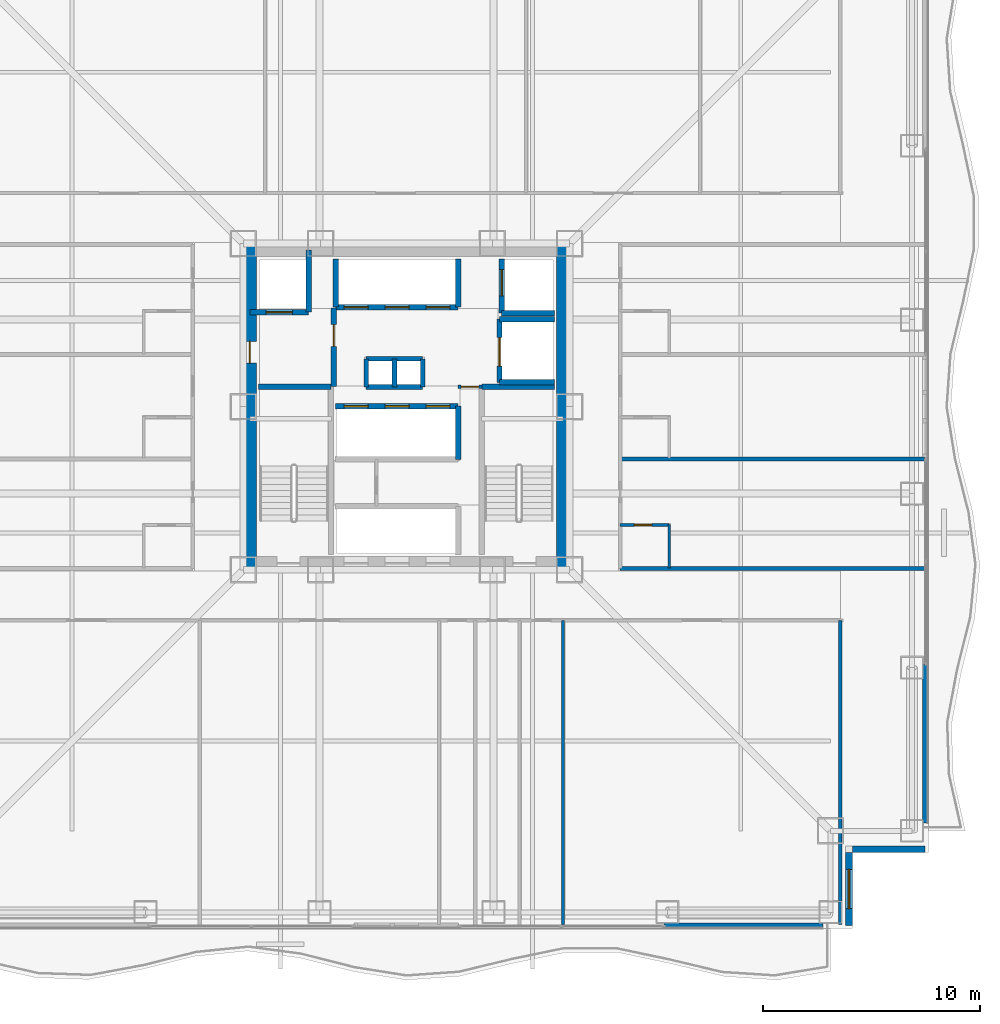
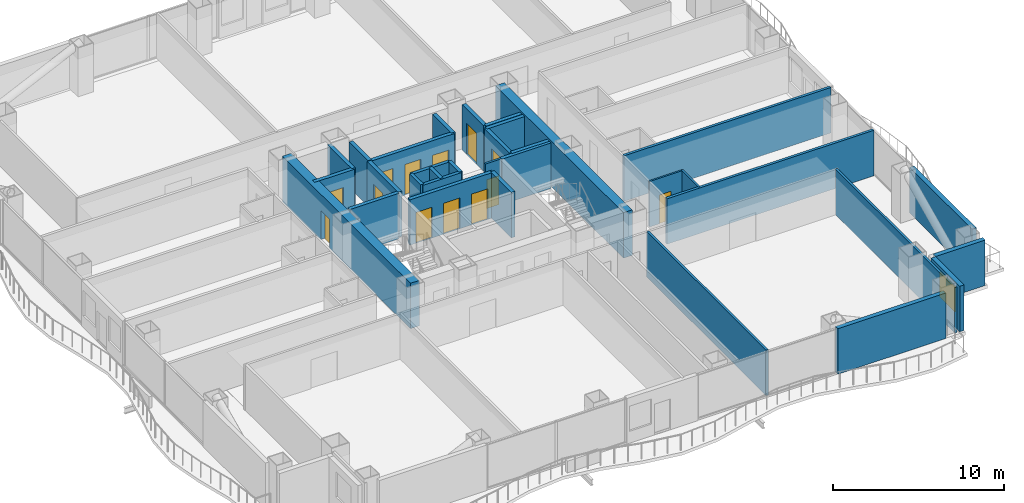
# One storey, part 15 of 24: 33 walls, 13 doors, 1 window, 14 openings.
"""IFC4 building model written with IfcOpenShell, lengths in metres."""

from ifc_helpers import new_model, si_unit, direction, frame, frame_2d, origin, place, context, subcontext, project, spatial, rectangle, extrude, material, layer, layer_set, type_object, element, fill, save


model = new_model("IFC4")

# Units and contexts
model_context = context("Model", 3, precision=1e-05, world=origin(), true_north=direction((0.0, 1.0)))
body_context = subcontext(model_context, "Body", "Model", "MODEL_VIEW")
ifc_project = project(units=[si_unit("LENGTHUNIT", "METRE"), si_unit("AREAUNIT", "SQUARE_METRE"), si_unit("VOLUMEUNIT", "CUBIC_METRE"), si_unit("PLANEANGLEUNIT", "RADIAN"), si_unit("MASSUNIT", "GRAM", prefix="KILO")], contexts=[model_context])

# Site, building, storey
site_placement = place(None, origin())
site = spatial("IfcSite", under=ifc_project, at=site_placement, CompositionType="ELEMENT")
building_placement = place(site_placement, origin())
building = spatial("IfcBuilding", under=site, at=building_placement, Name="Trevonay Congress Spire", CompositionType="ELEMENT")
storey_placement = place(building_placement, frame((0.0, 0.0, 55.0)))
storey = spatial("IfcBuildingStorey", under=building, at=storey_placement, Name="L13", CompositionType="ELEMENT", Elevation=55.0)

# Wall, opening, door
ifc_material_1 = material(Name="Concrete C40/50", Category="concrete")
ifc_layer_1 = layer(ifc_material_1, 0.1201171875, Name="Concrete C40/50")
ifc_layer_set_1 = layer_set([ifc_layer_1], Name="Concrete C40/50")
wall_type_1 = type_object("IfcWallType", Name="WAL-BATH-120", PredefinedType="PLUMBINGWALL", material=ifc_layer_set_1)
wall_1_placement = place(storey_placement, frame((9.830078125, -5.44189453125, 0.0), z_axis=(0.0, 0.0, 1.0), x_axis=(1.0, 0.0, 0.0)))
wall_1 = element("IfcWall", 1, at=wall_1_placement, inside=storey, type_object=wall_type_1, Name="L13 interior wall WH-L13E-BS1", PredefinedType="PLUMBINGWALL", context=body_context, shape_type="SweptSolid", body=[
    extrude(rectangle(XDim=2.25, YDim=0.1201171875, at=frame_2d((1.125, 0.0))), origin(), (0.0, 0.0, 1.0), 3.25),
])
opening_1_placement = place(wall_1_placement, frame((0.64990234375, 0.0, 0.0)))
opening_1 = element("IfcOpeningElement", 2, at=opening_1_placement, cuts=wall_1, Name="Opening D11", PredefinedType="OPENING", context=body_context, shape_type="SweptSolid", body=[
    extrude(rectangle(XDim=0.800048828125, YDim=2.050048828125, at=frame_2d((0.39990234375, 1.02490234375))), frame((0.0, 0.070068359375, 0.0), z_axis=(0.0, -1.0, 0.0), x_axis=(1.0, 0.0, 0.0)), (0.0, 0.0, 1.0), 0.14013671875),
])
ifc_material_2 = material(Name="Pale Anodised Aluminium EN AW-6063-T6", Category="aluminium")
door_type_1 = type_object("IfcDoorType", Name="DOR-BATH-80", OperationType="NOTDEFINED", PredefinedType="DOOR", material=ifc_material_2)
door_1_placement = place(opening_1_placement, origin())
door_1 = element("IfcDoor", 3, at=door_1_placement, inside=storey, type_object=door_type_1, Name="L13 En-suite Bathroom Door", OperationType="SINGLE_SWING_RIGHT", OverallHeight=2.050048828125, OverallWidth=0.800048828125, PredefinedType="DOOR", context=body_context, shape_type="SweptSolid", body=[
    extrude(rectangle(XDim=0.800048828125, YDim=2.050048828125, at=frame_2d((0.39990234375, 1.02490234375))), frame((0.0, 0.02490234375, 0.0), z_axis=(0.0, -1.0, 0.0), x_axis=(1.0, 0.0, 0.0)), (0.0, 0.0, 1.0), 0.050048828125),
])
fill(opening_1, door_1)

# Wall
wall_2_placement = place(storey_placement, frame((12.080078125, -7.419921875, 0.0), z_axis=(0.0, 0.0, 1.0), x_axis=(0.0, 1.0, 0.0)))
element("IfcWall", 4, at=wall_2_placement, inside=storey, type_object=wall_type_1, Name="L13 interior wall WH-L13E-BF1", PredefinedType="PLUMBINGWALL", context=body_context, shape_type="SweptSolid", body=[
    extrude(rectangle(XDim=2.0078125, YDim=0.1201171875, at=frame_2d((1.00390625, 0.0))), origin(), (0.0, 0.0, 1.0), 3.25),
])

# Wall, opening, door
ifc_material_3 = material(Name="Concrete C60/75", Category="concrete")
ifc_layer_2 = layer(ifc_material_3, 0.60009765625, Name="Concrete C60/75")
ifc_layer_set_2 = layer_set([ifc_layer_2], Name="Concrete C60/75")
wall_type_2 = type_object("IfcWallType", Name="WAL-CORE-600", PredefinedType="SHEAR", material=ifc_layer_set_2)
wall_3_placement = place(storey_placement, frame((-7.199951171875, -7.5, 0.0), z_axis=(0.0, 0.0, 1.0), x_axis=(0.0, 1.0, 0.0)))
wall_3 = element("IfcWall", 5, at=wall_3_placement, inside=storey, type_object=wall_type_2, Name="L13 West structural core shear wall", PredefinedType="SHEAR", context=body_context, shape_type="SweptSolid", body=[
    extrude(rectangle(XDim=15.0, YDim=0.60009765625, at=frame_2d((7.5, 0.0))), origin(), (0.0, 0.0, 1.0), 3.25),
])
opening_2_placement = place(wall_3_placement, frame((9.5, 0.0, 0.0)))
opening_2 = element("IfcOpeningElement", 6, at=opening_2_placement, cuts=wall_3, Name="Opening D06", PredefinedType="OPENING", context=body_context, shape_type="SweptSolid", body=[
    extrude(rectangle(XDim=1.0, YDim=2.080078125, at=frame_2d((0.5, 1.0400390625))), frame((0.0, 0.31005859375, 0.0), z_axis=(0.0, -1.0, 0.0), x_axis=(1.0, 0.0, 0.0)), (0.0, 0.0, 1.0), 0.6201171875),
])
ifc_material_4 = material(Name="Steel ASTM A572 Grade 50", Category="steel")
door_type_2 = type_object("IfcDoorType", Name="DOR-FIRE-100", OperationType="NOTDEFINED", PredefinedType="DOOR", material=ifc_material_4)
door_2_placement = place(opening_2_placement, origin())
door_2 = element("IfcDoor", 7, at=door_2_placement, inside=storey, type_object=door_type_2, Name="L13 Firefighting Lift Lobby West Corridor Door", OperationType="SINGLE_SWING_RIGHT", OverallHeight=2.080078125, OverallWidth=1.0, PredefinedType="DOOR", context=body_context, shape_type="SweptSolid", body=[
    extrude(rectangle(XDim=1.0, YDim=2.080078125, at=frame_2d((0.5, 1.0400390625))), frame((0.0, 0.02490234375, 0.0), z_axis=(0.0, -1.0, 0.0), x_axis=(1.0, 0.0, 0.0)), (0.0, 0.0, 1.0), 0.050048828125),
])
fill(opening_2, door_2)

# Walls
wall_4_placement = place(storey_placement, frame((7.199951171875, -7.5, 0.0), z_axis=(0.0, 0.0, 1.0), x_axis=(0.0, 1.0, 0.0)))
element("IfcWall", 8, at=wall_4_placement, inside=storey, type_object=wall_type_2, Name="L13 East structural core shear wall", PredefinedType="SHEAR", context=body_context, shape_type="SweptSolid", body=[
    extrude(rectangle(XDim=15.0, YDim=0.60009765625, at=frame_2d((7.5, 0.0))), origin(), (0.0, 0.0, 1.0), 3.25),
])
ifc_material_5 = material(Name="Precast concrete C40/50", Category="concrete")
ifc_layer_3 = layer(ifc_material_5, 0.300048828125, Name="Precast concrete C40/50")
ifc_layer_set_3 = layer_set([ifc_layer_3], Name="Precast concrete C40/50")
wall_type_3 = type_object("IfcWallType", Name="WAL-EXT-PRECAST-300", PredefinedType="SOLIDWALL", material=ifc_layer_set_3)
for number, where, z_axis, x_axis, name in (
    (9, (11.85009765625, -23.8798828125, 0.0), (0.0, 0.0, 1.0), (1.0, 0.0, 0.0), "L13 SR braced-bay exterior pier wall"),
    (10, (23.8798828125, -19.14990234375, 0.0), (0.0, 0.0, 1.0), (0.0, 1.0, 0.0), "L13 EL braced-bay exterior pier wall"),
):
    element("IfcWall", number, at=place(storey_placement, frame(where, z_axis=z_axis, x_axis=x_axis)), inside=storey, type_object=wall_type_3, Name=name, PredefinedType="SOLIDWALL", context=body_context, shape_type="SweptSolid", body=[
        extrude(rectangle(XDim=7.2998046875, YDim=0.300048828125, at=frame_2d((3.64990234375, 0.0))), origin(), (0.0, 0.0, 1.0), 3.25),
    ])

# Wall, opening, window
wall_5_placement = place(storey_placement, frame((20.35009765625, -23.85009765625, 0.0), z_axis=(0.0, 0.0, 1.0), x_axis=(0.0, 1.0, 0.0)))
wall_5 = element("IfcWall", 11, at=wall_5_placement, inside=storey, type_object=wall_type_3, Name="L13 SE re-entrant notch exterior wall 1", PredefinedType="SOLIDWALL", context=body_context, shape_type="SweptSolid", body=[
    extrude(rectangle(XDim=3.35009765625, YDim=0.300048828125, at=frame_2d((1.675048828125, 0.0))), origin(), (0.0, 0.0, 1.0), 3.25),
])
opening_3_placement = place(wall_5_placement, frame((0.77490234375, 0.0, 0.89990234375)))
opening_3 = element("IfcOpeningElement", 12, at=opening_3_placement, cuts=wall_5, Name="Opening WN01", PredefinedType="OPENING", context=body_context, shape_type="SweptSolid", body=[
    extrude(rectangle(XDim=1.800048828125, YDim=1.800048828125, at=frame_2d((0.89990234375, 0.89990234375))), frame((0.0, 0.16015625, 0.0), z_axis=(0.0, -1.0, 0.0), x_axis=(1.0, 0.0, 0.0)), (0.0, 0.0, 1.0), 0.320068359375),
])
ifc_material_6 = material(Name="Insulated Low-E Vision Glass IGU", Category="glass")
window_type = type_object("IfcWindowType", Name="WIN-HOTEL-180X180", PartitioningType="SINGLE_PANEL", PredefinedType="WINDOW", material=ifc_material_6)
window_placement = place(opening_3_placement, origin())
window = element("IfcWindow", 13, at=window_placement, inside=storey, type_object=window_type, Name="L13 SE corner notch window", OverallHeight=1.800048828125, OverallWidth=1.800048828125, PartitioningType="SINGLE_PANEL", PredefinedType="WINDOW", context=body_context, shape_type="SweptSolid", body=[
    extrude(rectangle(XDim=1.800048828125, YDim=1.800048828125, at=frame_2d((0.89990234375, 0.89990234375))), frame((0.0, 0.030029296875, 0.0), z_axis=(0.0, -1.0, 0.0), x_axis=(1.0, 0.0, 0.0)), (0.0, 0.0, 1.0), 0.06005859375),
])
fill(opening_3, window)

# Walls
wall_6_placement = place(storey_placement, frame((23.85009765625, -20.35009765625, 0.0), z_axis=(0.0, 0.0, 1.0), x_axis=(-1.0, 0.0, 0.0)))
element("IfcWall", 14, at=wall_6_placement, inside=storey, type_object=wall_type_3, Name="L13 SE re-entrant notch exterior wall 2", PredefinedType="SOLIDWALL", context=body_context, shape_type="SweptSolid", body=[
    extrude(rectangle(XDim=3.35009765625, YDim=0.300048828125, at=frame_2d((1.675048828125, 0.0))), origin(), (0.0, 0.0, 1.0), 3.25),
])
ifc_layer_4 = layer(ifc_material_1, 0.179931640625, Name="Concrete C40/50")
ifc_layer_set_4 = layer_set([ifc_layer_4], Name="Concrete C40/50")
wall_type_4 = type_object("IfcWallType", Name="WAL-HOTEL-180", PredefinedType="PARTITIONING", material=ifc_layer_set_4)
for number, where, z_axis, x_axis, name in (
    (15, (9.830078125, -7.449951171875, 0.0), (0.0, 0.0, 1.0), (1.0, 0.0, 0.0), "L13 interior wall WH-L13E-DIV1"),
    (16, (9.830078125, -2.39990234375, 0.0), (0.0, 0.0, 1.0), (1.0, 0.0, 0.0), "L13 interior wall WH-L13E-DIV2"),
):
    element("IfcWall", number, at=place(storey_placement, frame(where, z_axis=z_axis, x_axis=x_axis)), inside=storey, type_object=wall_type_4, Name=name, PredefinedType="PARTITIONING", context=body_context, shape_type="SweptSolid", body=[
        extrude(rectangle(XDim=13.989990234375, YDim=0.179931640625, at=frame_2d((6.9951171875, 0.0))), origin(), (0.0, 0.0, 1.0), 3.25),
    ])

# Wall, opening, door
ifc_layer_5 = layer(ifc_material_1, 0.14990234375, Name="Concrete C40/50")
ifc_layer_set_5 = layer_set([ifc_layer_5], Name="Concrete C40/50")
wall_type_5 = type_object("IfcWallType", Name="WAL-PART-150", PredefinedType="PARTITIONING", material=ifc_layer_set_5)
wall_7_placement = place(storey_placement, frame((2.3798828125, 0.919921875, 0.0), z_axis=(0.0, 0.0, 1.0), x_axis=(1.0, 0.0, 0.0)))
wall_7 = element("IfcWall", 17, at=wall_7_placement, inside=storey, type_object=wall_type_5, Name="L13 interior wall CW-CSRV-N-L13", PredefinedType="PARTITIONING", context=body_context, shape_type="SweptSolid", body=[
    extrude(rectangle(XDim=1.090087890625, YDim=0.14990234375, at=frame_2d((0.544921875, 0.0))), origin(), (0.0, 0.0, 1.0), 3.25),
])
opening_4_placement = place(wall_7_placement, frame((0.135009765625, 0.0, 0.0)))
opening_4 = element("IfcOpeningElement", 18, at=opening_4_placement, cuts=wall_7, Name="Opening D13", PredefinedType="OPENING", context=body_context, shape_type="SweptSolid", body=[
    extrude(rectangle(XDim=0.820068359375, YDim=2.050048828125, at=frame_2d((0.41015625, 1.02490234375))), frame((0.0, 0.0849609375, 0.0), z_axis=(0.0, -1.0, 0.0), x_axis=(1.0, 0.0, 0.0)), (0.0, 0.0, 1.0), 0.169921875),
])
door_type_3 = type_object("IfcDoorType", Name="DOR-UTIL-80", OperationType="NOTDEFINED", PredefinedType="DOOR", material=ifc_material_4)
door_3_placement = place(opening_4_placement, origin())
door_3 = element("IfcDoor", 19, at=door_3_placement, inside=storey, type_object=door_type_3, Name="L13 Core Service Pocket Door", OperationType="SINGLE_SWING_RIGHT", OverallHeight=2.050048828125, OverallWidth=0.820068359375, PredefinedType="DOOR", context=body_context, shape_type="SweptSolid", body=[
    extrude(rectangle(XDim=0.820068359375, YDim=2.050048828125, at=frame_2d((0.41015625, 1.02490234375))), frame((0.0, 0.02490234375, 0.0), z_axis=(0.0, -1.0, 0.0), x_axis=(1.0, 0.0, 0.0)), (0.0, 0.0, 1.0), 0.050048828125),
])
fill(opening_4, door_3)

# Walls
for number, where, z_axis, x_axis, name in (
    (20, (7.199951171875, -23.820068359375, 0.0), (0.0, 0.0, 1.0), (0.0, 1.0, 0.0), "L13 interior wall WP-L13S-DIV5"),
    (21, (19.949951171875, -23.820068359375, 0.0), (0.0, 0.0, 1.0), (0.0, 1.0, 0.0), "L13 interior wall WP-L13S-DIV6"),
):
    element("IfcWall", number, at=place(storey_placement, frame(where, z_axis=z_axis, x_axis=x_axis)), inside=storey, type_object=wall_type_5, Name=name, PredefinedType="PARTITIONING", context=body_context, shape_type="SweptSolid", body=[
        extrude(rectangle(XDim=13.989990234375, YDim=0.14990234375, at=frame_2d((6.9951171875, 0.0))), origin(), (0.0, 0.0, 1.0), 3.25),
    ])
ifc_layer_6 = layer(ifc_material_1, 0.219970703125, Name="Concrete C40/50")
ifc_layer_set_6 = layer_set([ifc_layer_6], Name="Concrete C40/50")
wall_type_6 = type_object("IfcWallType", Name="WAL-SHAFT-220", PredefinedType="PARTITIONING", material=ifc_layer_set_6)
for number, where, z_axis, x_axis, name in (
    (22, (-1.85009765625, 2.199951171875, 0.0), (0.0, 0.0, 1.0), (1.0, 0.0, 0.0), "L13 interior shaft wall WSH-L13-RSR-N"),
    (23, (-1.85009765625, 0.89990234375, 0.0), (0.0, 0.0, 1.0), (1.0, 0.0, 0.0), "L13 interior shaft wall WSH-L13-RSR-S"),
):
    element("IfcWall", number, at=place(storey_placement, frame(where, z_axis=z_axis, x_axis=x_axis)), inside=storey, type_object=wall_type_6, Name=name, PredefinedType="PARTITIONING", context=body_context, shape_type="SweptSolid", body=[
        extrude(rectangle(XDim=2.60009765625, YDim=0.219970703125, at=frame_2d((1.300048828125, 0.0))), origin(), (0.0, 0.0, 1.0), 3.25),
    ])
for number, where, z_axis, x_axis, name in (
    (24, (-0.550048828125, 0.89990234375, 0.0), (0.0, 0.0, 1.0), (0.0, 1.0, 0.0), "L13 interior shaft wall WSH-L13-RSR-M"),
    (25, (0.75, 0.89990234375, 0.0), (0.0, 0.0, 1.0), (0.0, 1.0, 0.0), "L13 interior shaft wall WSH-L13-RSR-E"),
    (26, (-1.85009765625, 0.89990234375, 0.0), (0.0, 0.0, 1.0), (0.0, 1.0, 0.0), "L13 interior shaft wall WSH-L13-RSR-W"),
):
    element("IfcWall", number, at=place(storey_placement, frame(where, z_axis=z_axis, x_axis=x_axis)), inside=storey, type_object=wall_type_6, Name=name, PredefinedType="PARTITIONING", context=body_context, shape_type="SweptSolid", body=[
        extrude(rectangle(XDim=1.300048828125, YDim=0.219970703125, at=frame_2d((0.64990234375, 0.0))), origin(), (0.0, 0.0, 1.0), 3.25),
    ])

# Wall, openings, doors
ifc_layer_7 = layer(ifc_material_1, 0.25, Name="Concrete C40/50")
ifc_layer_set_7 = layer_set([ifc_layer_7], Name="Concrete C40/50")
wall_type_7 = type_object("IfcWallType", Name="WAL-SHAFT-250", PredefinedType="SHEAR", material=ifc_layer_set_7)
wall_8_placement = place(storey_placement, frame((-3.260009765625, 0.02001953125, 0.0), z_axis=(0.0, 0.0, 1.0), x_axis=(1.0, 0.0, 0.0)))
wall_8 = element("IfcWall", 27, at=wall_8_placement, inside=storey, type_object=wall_type_7, Name="L13 interior shaft wall WSH-L13-B2-N", PredefinedType="SHEAR", context=body_context, shape_type="SweptSolid", body=[
    extrude(rectangle(XDim=5.639892578125, YDim=0.25, at=frame_2d((2.81982421875, 0.0))), origin(), (0.0, 0.0, 1.0), 3.25),
])
opening_5_placement = place(wall_8_placement, frame((0.39990234375, 0.0, 0.0)))
opening_5 = element("IfcOpeningElement", 28, at=opening_5_placement, cuts=wall_8, Name="Opening LD02", PredefinedType="OPENING", context=body_context, shape_type="SweptSolid", body=[
    extrude(rectangle(XDim=1.10009765625, YDim=2.199951171875, at=frame_2d((0.550048828125, 1.10009765625))), frame((0.0, 0.135009765625, 0.0), z_axis=(0.0, -1.0, 0.0), x_axis=(1.0, 0.0, 0.0)), (0.0, 0.0, 1.0), 0.27001953125),
])
opening_6_placement = place(wall_8_placement, frame((2.280029296875, 0.0, 0.0)))
opening_6 = element("IfcOpeningElement", 29, at=opening_6_placement, cuts=wall_8, Name="Opening LD02", PredefinedType="OPENING", context=body_context, shape_type="SweptSolid", body=[
    extrude(rectangle(XDim=1.10009765625, YDim=2.199951171875, at=frame_2d((0.550048828125, 1.10009765625))), frame((0.0, 0.135009765625, 0.0), z_axis=(0.0, -1.0, 0.0), x_axis=(1.0, 0.0, 0.0)), (0.0, 0.0, 1.0), 0.27001953125),
])
opening_7_placement = place(wall_8_placement, frame((4.159912109375, 0.0, 0.0)))
opening_7 = element("IfcOpeningElement", 30, at=opening_7_placement, cuts=wall_8, Name="Opening LD02", PredefinedType="OPENING", context=body_context, shape_type="SweptSolid", body=[
    extrude(rectangle(XDim=1.10009765625, YDim=2.199951171875, at=frame_2d((0.550048828125, 1.10009765625))), frame((0.0, 0.135009765625, 0.0), z_axis=(0.0, -1.0, 0.0), x_axis=(1.0, 0.0, 0.0)), (0.0, 0.0, 1.0), 0.27001953125),
])
door_type_4 = type_object("IfcDoorType", Name="DOR-LIFT-LD02", OperationType="DOUBLE_DOOR_SLIDING", PredefinedType="DOOR", material=ifc_material_2)
door_4_placement = place(opening_5_placement, origin())
door_4 = element("IfcDoor", 31, at=door_4_placement, inside=storey, type_object=door_type_4, Name="L13 Passenger lift PL-04 landing door", OperationType="DOUBLE_DOOR_SLIDING", OverallHeight=2.199951171875, OverallWidth=1.10009765625, PredefinedType="DOOR", context=body_context, shape_type="SweptSolid", body=[
    extrude(rectangle(XDim=1.10009765625, YDim=2.199951171875, at=frame_2d((0.550048828125, 1.10009765625))), frame((0.0, 0.02490234375, 0.0), z_axis=(0.0, -1.0, 0.0), x_axis=(1.0, 0.0, 0.0)), (0.0, 0.0, 1.0), 0.050048828125),
])
fill(opening_5, door_4)
door_5_placement = place(opening_6_placement, origin())
door_5 = element("IfcDoor", 32, at=door_5_placement, inside=storey, type_object=door_type_4, Name="L13 Passenger lift PL-05 landing door", OperationType="DOUBLE_DOOR_SLIDING", OverallHeight=2.199951171875, OverallWidth=1.10009765625, PredefinedType="DOOR", context=body_context, shape_type="SweptSolid", body=[
    extrude(rectangle(XDim=1.10009765625, YDim=2.199951171875, at=frame_2d((0.550048828125, 1.10009765625))), frame((0.0, 0.02490234375, 0.0), z_axis=(0.0, -1.0, 0.0), x_axis=(1.0, 0.0, 0.0)), (0.0, 0.0, 1.0), 0.050048828125),
])
fill(opening_6, door_5)
door_6_placement = place(opening_7_placement, origin())
door_6 = element("IfcDoor", 33, at=door_6_placement, inside=storey, type_object=door_type_4, Name="L13 Passenger lift PL-06 landing door", OperationType="DOUBLE_DOOR_SLIDING", OverallHeight=2.199951171875, OverallWidth=1.10009765625, PredefinedType="DOOR", context=body_context, shape_type="SweptSolid", body=[
    extrude(rectangle(XDim=1.10009765625, YDim=2.199951171875, at=frame_2d((0.550048828125, 1.10009765625))), frame((0.0, 0.02490234375, 0.0), z_axis=(0.0, -1.0, 0.0), x_axis=(1.0, 0.0, 0.0)), (0.0, 0.0, 1.0), 0.050048828125),
])
fill(opening_7, door_6)

# Wall
wall_9_placement = place(storey_placement, frame((2.3798828125, -2.419921875, 0.0), z_axis=(0.0, 0.0, 1.0), x_axis=(0.0, 1.0, 0.0)))
element("IfcWall", 34, at=wall_9_placement, inside=storey, type_object=wall_type_7, Name="L13 interior shaft wall WSH-L13-B2-E", PredefinedType="SHEAR", context=body_context, shape_type="SweptSolid", body=[
    extrude(rectangle(XDim=2.43994140625, YDim=0.25, at=frame_2d((1.219970703125, 0.0))), origin(), (0.0, 0.0, 1.0), 3.25),
])

# Wall, openings, doors
wall_10_placement = place(storey_placement, frame((-3.260009765625, 4.580078125, 0.0), z_axis=(0.0, 0.0, 1.0), x_axis=(1.0, 0.0, 0.0)))
wall_10 = element("IfcWall", 35, at=wall_10_placement, inside=storey, type_object=wall_type_7, Name="L13 interior shaft wall WSH-L13-B3-S", PredefinedType="SHEAR", context=body_context, shape_type="SweptSolid", body=[
    extrude(rectangle(XDim=5.639892578125, YDim=0.25, at=frame_2d((2.81982421875, 0.0))), origin(), (0.0, 0.0, 1.0), 3.25),
])
opening_8_placement = place(wall_10_placement, frame((0.39990234375, 0.0, 0.0)))
opening_8 = element("IfcOpeningElement", 36, at=opening_8_placement, cuts=wall_10, Name="Opening LD03", PredefinedType="OPENING", context=body_context, shape_type="SweptSolid", body=[
    extrude(rectangle(XDim=1.10009765625, YDim=2.199951171875, at=frame_2d((0.550048828125, 1.10009765625))), frame((0.0, 0.135009765625, 0.0), z_axis=(0.0, -1.0, 0.0), x_axis=(1.0, 0.0, 0.0)), (0.0, 0.0, 1.0), 0.27001953125),
])
opening_9_placement = place(wall_10_placement, frame((2.280029296875, 0.0, 0.0)))
opening_9 = element("IfcOpeningElement", 37, at=opening_9_placement, cuts=wall_10, Name="Opening LD03", PredefinedType="OPENING", context=body_context, shape_type="SweptSolid", body=[
    extrude(rectangle(XDim=1.10009765625, YDim=2.199951171875, at=frame_2d((0.550048828125, 1.10009765625))), frame((0.0, 0.135009765625, 0.0), z_axis=(0.0, -1.0, 0.0), x_axis=(1.0, 0.0, 0.0)), (0.0, 0.0, 1.0), 0.27001953125),
])
opening_10_placement = place(wall_10_placement, frame((4.159912109375, 0.0, 0.0)))
opening_10 = element("IfcOpeningElement", 38, at=opening_10_placement, cuts=wall_10, Name="Opening LD03", PredefinedType="OPENING", context=body_context, shape_type="SweptSolid", body=[
    extrude(rectangle(XDim=1.10009765625, YDim=2.199951171875, at=frame_2d((0.550048828125, 1.10009765625))), frame((0.0, 0.135009765625, 0.0), z_axis=(0.0, -1.0, 0.0), x_axis=(1.0, 0.0, 0.0)), (0.0, 0.0, 1.0), 0.27001953125),
])
door_type_5 = type_object("IfcDoorType", Name="DOR-LIFT-LD03", OperationType="DOUBLE_DOOR_SLIDING", PredefinedType="DOOR", material=ifc_material_2)
door_7_placement = place(opening_8_placement, origin())
door_7 = element("IfcDoor", 39, at=door_7_placement, inside=storey, type_object=door_type_5, Name="L13 Passenger lift PL-07 landing door", OperationType="DOUBLE_DOOR_SLIDING", OverallHeight=2.199951171875, OverallWidth=1.10009765625, PredefinedType="DOOR", context=body_context, shape_type="SweptSolid", body=[
    extrude(rectangle(XDim=1.10009765625, YDim=2.199951171875, at=frame_2d((0.550048828125, 1.10009765625))), frame((0.0, 0.02490234375, 0.0), z_axis=(0.0, -1.0, 0.0), x_axis=(1.0, 0.0, 0.0)), (0.0, 0.0, 1.0), 0.050048828125),
])
fill(opening_8, door_7)
door_8_placement = place(opening_9_placement, origin())
door_8 = element("IfcDoor", 40, at=door_8_placement, inside=storey, type_object=door_type_5, Name="L13 Passenger lift PL-08 landing door", OperationType="DOUBLE_DOOR_SLIDING", OverallHeight=2.199951171875, OverallWidth=1.10009765625, PredefinedType="DOOR", context=body_context, shape_type="SweptSolid", body=[
    extrude(rectangle(XDim=1.10009765625, YDim=2.199951171875, at=frame_2d((0.550048828125, 1.10009765625))), frame((0.0, 0.02490234375, 0.0), z_axis=(0.0, -1.0, 0.0), x_axis=(1.0, 0.0, 0.0)), (0.0, 0.0, 1.0), 0.050048828125),
])
fill(opening_9, door_8)
door_9_placement = place(opening_10_placement, origin())
door_9 = element("IfcDoor", 41, at=door_9_placement, inside=storey, type_object=door_type_5, Name="L13 Passenger lift PL-09 landing door", OperationType="DOUBLE_DOOR_SLIDING", OverallHeight=2.199951171875, OverallWidth=1.10009765625, PredefinedType="DOOR", context=body_context, shape_type="SweptSolid", body=[
    extrude(rectangle(XDim=1.10009765625, YDim=2.199951171875, at=frame_2d((0.550048828125, 1.10009765625))), frame((0.0, 0.02490234375, 0.0), z_axis=(0.0, -1.0, 0.0), x_axis=(1.0, 0.0, 0.0)), (0.0, 0.0, 1.0), 0.050048828125),
])
fill(opening_10, door_9)

# Walls
for number, where, z_axis, x_axis, name in (
    (42, (-3.260009765625, 4.580078125, 0.0), (0.0, 0.0, 1.0), (0.0, 1.0, 0.0), "L13 interior shaft wall WSH-L13-B3-W"),
    (43, (2.3798828125, 4.580078125, 0.0), (0.0, 0.0, 1.0), (0.0, 1.0, 0.0), "L13 interior shaft wall WSH-L13-B3-E"),
):
    element("IfcWall", number, at=place(storey_placement, frame(where, z_axis=z_axis, x_axis=x_axis)), inside=storey, type_object=wall_type_7, Name=name, PredefinedType="SHEAR", context=body_context, shape_type="SweptSolid", body=[
        extrude(rectangle(XDim=2.219970703125, YDim=0.25, at=frame_2d((1.10986328125, 0.0))), origin(), (0.0, 0.0, 1.0), 3.25),
    ])

# Wall, opening, door
wall_11_placement = place(storey_placement, frame((-7.199951171875, 4.35009765625, 0.0), z_axis=(0.0, 0.0, 1.0), x_axis=(1.0, 0.0, 0.0)))
wall_11 = element("IfcWall", 44, at=wall_11_placement, inside=storey, type_object=wall_type_7, Name="L13 interior shaft wall WSH-L13-FF1-S", PredefinedType="SHEAR", context=body_context, shape_type="SweptSolid", body=[
    extrude(rectangle(XDim=2.699951171875, YDim=0.25, at=frame_2d((1.35009765625, 0.0))), origin(), (0.0, 0.0, 1.0), 3.25),
])
opening_11_placement = place(wall_11_placement, frame((0.75, 0.0, 0.0)))
opening_11 = element("IfcOpeningElement", 45, at=opening_11_placement, cuts=wall_11, Name="Opening LD04", PredefinedType="OPENING", context=body_context, shape_type="SweptSolid", body=[
    extrude(rectangle(XDim=1.199951171875, YDim=2.199951171875, at=frame_2d((0.60009765625, 1.10009765625))), frame((0.0, 0.135009765625, 0.0), z_axis=(0.0, -1.0, 0.0), x_axis=(1.0, 0.0, 0.0)), (0.0, 0.0, 1.0), 0.27001953125),
])
door_type_6 = type_object("IfcDoorType", Name="DOR-LIFT-LD04", OperationType="DOUBLE_DOOR_SLIDING", PredefinedType="DOOR", material=ifc_material_4)
door_10_placement = place(opening_11_placement, origin())
door_10 = element("IfcDoor", 46, at=door_10_placement, inside=storey, type_object=door_type_6, Name="L13 Firefighting lift FFL-01 landing door", OperationType="DOUBLE_DOOR_SLIDING", OverallHeight=2.199951171875, OverallWidth=1.199951171875, PredefinedType="DOOR", context=body_context, shape_type="SweptSolid", body=[
    extrude(rectangle(XDim=1.199951171875, YDim=2.199951171875, at=frame_2d((0.60009765625, 1.10009765625))), frame((0.0, 0.02490234375, 0.0), z_axis=(0.0, -1.0, 0.0), x_axis=(1.0, 0.0, 0.0)), (0.0, 0.0, 1.0), 0.050048828125),
])
fill(opening_11, door_10)

# Walls
wall_12_placement = place(storey_placement, frame((-4.5, 4.35009765625, 0.0), z_axis=(0.0, 0.0, 1.0), x_axis=(0.0, 1.0, 0.0)))
element("IfcWall", 47, at=wall_12_placement, inside=storey, type_object=wall_type_7, Name="L13 interior shaft wall WSH-L13-FF1-E", PredefinedType="SHEAR", context=body_context, shape_type="SweptSolid", body=[
    extrude(rectangle(XDim=2.849853515625, YDim=0.25, at=frame_2d((1.4248046875, 0.0))), origin(), (0.0, 0.0, 1.0), 3.25),
])
wall_13_placement = place(storey_placement, frame((4.3798828125, 4.300048828125, 0.0), z_axis=(0.0, 0.0, 1.0), x_axis=(1.0, 0.0, 0.0)))
element("IfcWall", 48, at=wall_13_placement, inside=storey, type_object=wall_type_7, Name="L13 interior shaft wall WSH-L13-FF2-S", PredefinedType="SHEAR", context=body_context, shape_type="SweptSolid", body=[
    extrude(rectangle(XDim=2.420166015625, YDim=0.25, at=frame_2d((1.2099609375, 0.0))), origin(), (0.0, 0.0, 1.0), 3.25),
])

# Wall, opening, door
wall_14_placement = place(storey_placement, frame((4.3798828125, 4.300048828125, 0.0), z_axis=(0.0, 0.0, 1.0), x_axis=(0.0, 1.0, 0.0)))
wall_14 = element("IfcWall", 49, at=wall_14_placement, inside=storey, type_object=wall_type_7, Name="L13 interior shaft wall WSH-L13-FF2-W", PredefinedType="SHEAR", context=body_context, shape_type="SweptSolid", body=[
    extrude(rectangle(XDim=2.5, YDim=0.25, at=frame_2d((1.25, 0.0))), origin(), (0.0, 0.0, 1.0), 3.25),
])
opening_12_placement = place(wall_14_placement, frame((0.800048828125, 0.0, 0.0)))
opening_12 = element("IfcOpeningElement", 50, at=opening_12_placement, cuts=wall_14, Name="Opening LD04", PredefinedType="OPENING", context=body_context, shape_type="SweptSolid", body=[
    extrude(rectangle(XDim=1.199951171875, YDim=2.199951171875, at=frame_2d((0.60009765625, 1.10009765625))), frame((0.0, 0.135009765625, 0.0), z_axis=(0.0, -1.0, 0.0), x_axis=(1.0, 0.0, 0.0)), (0.0, 0.0, 1.0), 0.27001953125),
])
door_11_placement = place(opening_12_placement, origin())
door_11 = element("IfcDoor", 51, at=door_11_placement, inside=storey, type_object=door_type_6, Name="L13 Firefighting lift FFL-02 landing door", OperationType="DOUBLE_DOOR_SLIDING", OverallHeight=2.199951171875, OverallWidth=1.199951171875, PredefinedType="DOOR", context=body_context, shape_type="SweptSolid", body=[
    extrude(rectangle(XDim=1.199951171875, YDim=2.199951171875, at=frame_2d((0.60009765625, 1.10009765625))), frame((0.0, 0.02490234375, 0.0), z_axis=(0.0, -1.0, 0.0), x_axis=(1.0, 0.0, 0.0)), (0.0, 0.0, 1.0), 0.050048828125),
])
fill(opening_12, door_11)

wall_15_placement = place(storey_placement, frame((4.280029296875, 1.1201171875, 0.0), z_axis=(0.0, 0.0, 1.0), x_axis=(0.0, 1.0, 0.0)))
wall_15 = element("IfcWall", 52, at=wall_15_placement, inside=storey, type_object=wall_type_7, Name="L13 interior shaft wall WSH-L13-SV-W", PredefinedType="SHEAR", context=body_context, shape_type="SweptSolid", body=[
    extrude(rectangle(XDim=2.89990234375, YDim=0.25, at=frame_2d((1.449951171875, 0.0))), origin(), (0.0, 0.0, 1.0), 3.25),
])
opening_13_placement = place(wall_15_placement, frame((0.75, 0.0, 0.0)))
opening_13 = element("IfcOpeningElement", 53, at=opening_13_placement, cuts=wall_15, Name="Opening LD05", PredefinedType="OPENING", context=body_context, shape_type="SweptSolid", body=[
    extrude(rectangle(XDim=1.300048828125, YDim=2.300048828125, at=frame_2d((0.64990234375, 1.14990234375))), frame((0.0, 0.135009765625, 0.0), z_axis=(0.0, -1.0, 0.0), x_axis=(1.0, 0.0, 0.0)), (0.0, 0.0, 1.0), 0.27001953125),
])
door_type_7 = type_object("IfcDoorType", Name="DOR-LIFT-LD05", OperationType="DOUBLE_DOOR_SLIDING", PredefinedType="DOOR", material=ifc_material_4)
door_12_placement = place(opening_13_placement, origin())
door_12 = element("IfcDoor", 54, at=door_12_placement, inside=storey, type_object=door_type_7, Name="L13 Goods lift SVL-01 landing door", OperationType="DOUBLE_DOOR_SLIDING", OverallHeight=2.300048828125, OverallWidth=1.300048828125, PredefinedType="DOOR", context=body_context, shape_type="SweptSolid", body=[
    extrude(rectangle(XDim=1.300048828125, YDim=2.300048828125, at=frame_2d((0.64990234375, 1.14990234375))), frame((0.0, 0.02490234375, 0.0), z_axis=(0.0, -1.0, 0.0), x_axis=(1.0, 0.0, 0.0)), (0.0, 0.0, 1.0), 0.050048828125),
])
fill(opening_13, door_12)

# Walls
for number, where, z_axis, x_axis, name in (
    (55, (4.280029296875, 1.1201171875, 0.0), (0.0, 0.0, 1.0), (1.0, 0.0, 0.0), "L13 interior shaft wall WSH-L13-SV-S"),
    (56, (4.280029296875, 4.02001953125, 0.0), (0.0, 0.0, 1.0), (1.0, 0.0, 0.0), "L13 interior shaft wall WSH-L13-SV-N"),
):
    element("IfcWall", number, at=place(storey_placement, frame(where, z_axis=z_axis, x_axis=x_axis)), inside=storey, type_object=wall_type_7, Name=name, PredefinedType="SHEAR", context=body_context, shape_type="SweptSolid", body=[
        extrude(rectangle(XDim=2.52001953125, YDim=0.25, at=frame_2d((1.260009765625, 0.0))), origin(), (0.0, 0.0, 1.0), 3.25),
    ])

# Wall, opening, door
wall_16_placement = place(storey_placement, frame((-3.35009765625, 0.919921875, 0.0), z_axis=(0.0, 0.0, 1.0), x_axis=(0.0, 1.0, 0.0)))
wall_16 = element("IfcWall", 57, at=wall_16_placement, inside=storey, type_object=wall_type_7, Name="L13 interior wall CW-FFLW-E-L13", PredefinedType="SHEAR", context=body_context, shape_type="SweptSolid", body=[
    extrude(rectangle(XDim=3.6201171875, YDim=0.25, at=frame_2d((1.81005859375, 0.0))), origin(), (0.0, 0.0, 1.0), 3.25),
])
opening_14_placement = place(wall_16_placement, frame((1.85009765625, 0.0, 0.0)))
opening_14 = element("IfcOpeningElement", 58, at=opening_14_placement, cuts=wall_16, Name="Opening D06", PredefinedType="OPENING", context=body_context, shape_type="SweptSolid", body=[
    extrude(rectangle(XDim=1.0, YDim=2.080078125, at=frame_2d((0.5, 1.0400390625))), frame((0.0, 0.135009765625, 0.0), z_axis=(0.0, -1.0, 0.0), x_axis=(1.0, 0.0, 0.0)), (0.0, 0.0, 1.0), 0.27001953125),
])
door_13_placement = place(opening_14_placement, origin())
door_13 = element("IfcDoor", 59, at=door_13_placement, inside=storey, type_object=door_type_2, Name="L13 Firefighting Core Lobby Transfer Door", OperationType="SINGLE_SWING_LEFT", OverallHeight=2.080078125, OverallWidth=1.0, PredefinedType="DOOR", context=body_context, shape_type="SweptSolid", body=[
    extrude(rectangle(XDim=1.0, YDim=2.080078125, at=frame_2d((0.5, 1.0400390625))), frame((0.0, 0.02490234375, 0.0), z_axis=(0.0, -1.0, 0.0), x_axis=(1.0, 0.0, 0.0)), (0.0, 0.0, 1.0), 0.050048828125),
])
fill(opening_14, door_13)

# Walls
ifc_layer_8 = layer(ifc_material_1, 0.25, Name="Concrete C40/50")
ifc_layer_set_8 = layer_set([ifc_layer_8], Name="Concrete C40/50")
wall_type_8 = type_object("IfcWallType", Name="WAL-SHAFT-LB-250", PredefinedType="SHEAR", material=ifc_layer_set_8)
for number, where, z_axis, x_axis, name in (
    (60, (-6.800048828125, 0.919921875, 0.0), (0.0, 0.0, 1.0), (1.0, 0.0, 0.0), "L13 interior shaft wall WSH-L13-ST1-N"),
    (61, (3.469970703125, 0.919921875, 0.0), (0.0, 0.0, 1.0), (1.0, 0.0, 0.0), "L13 interior shaft wall WSH-L13-ST2-N"),
):
    element("IfcWall", number, at=place(storey_placement, frame(where, z_axis=z_axis, x_axis=x_axis)), inside=storey, type_object=wall_type_8, Name=name, PredefinedType="SHEAR", context=body_context, shape_type="SweptSolid", body=[
        extrude(rectangle(XDim=3.330078125, YDim=0.25, at=frame_2d((1.6650390625, 0.0))), origin(), (0.0, 0.0, 1.0), 3.25),
    ])

save(model, "model.ifc")
